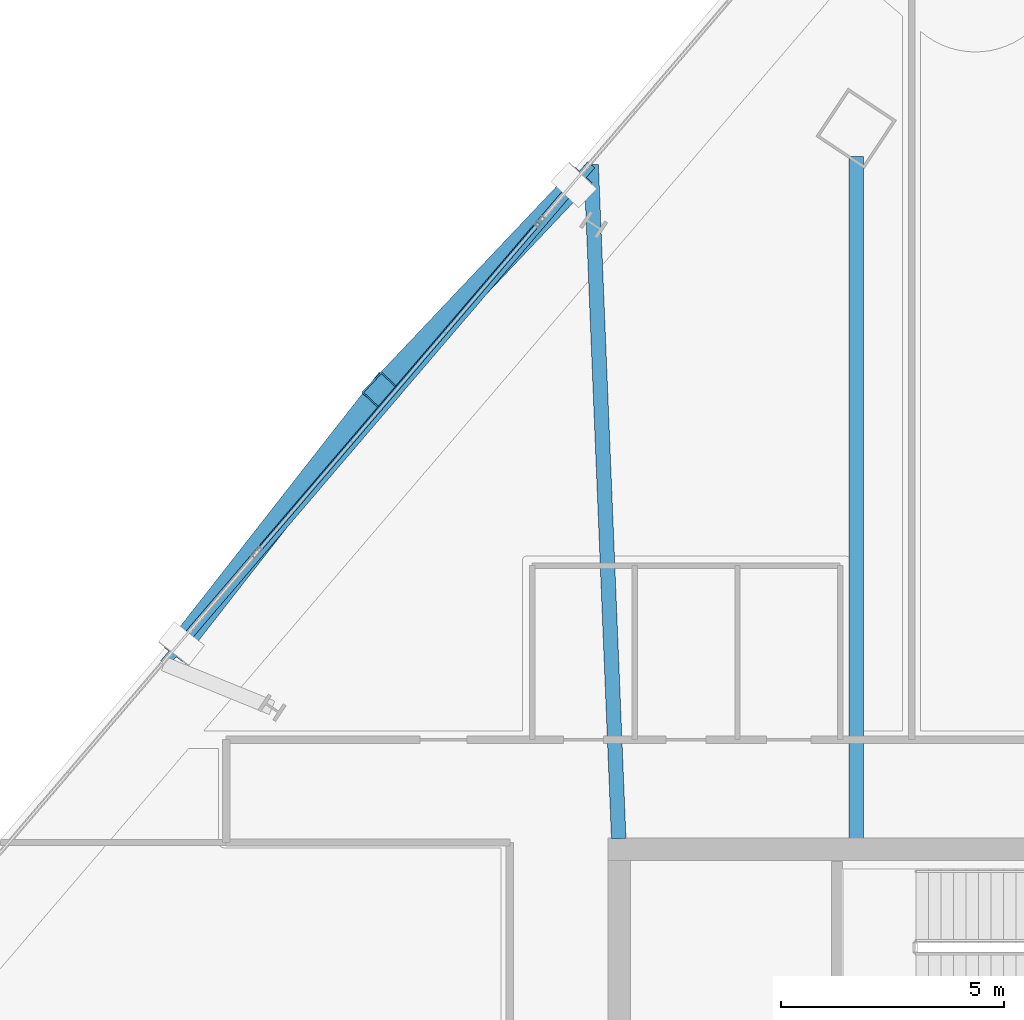
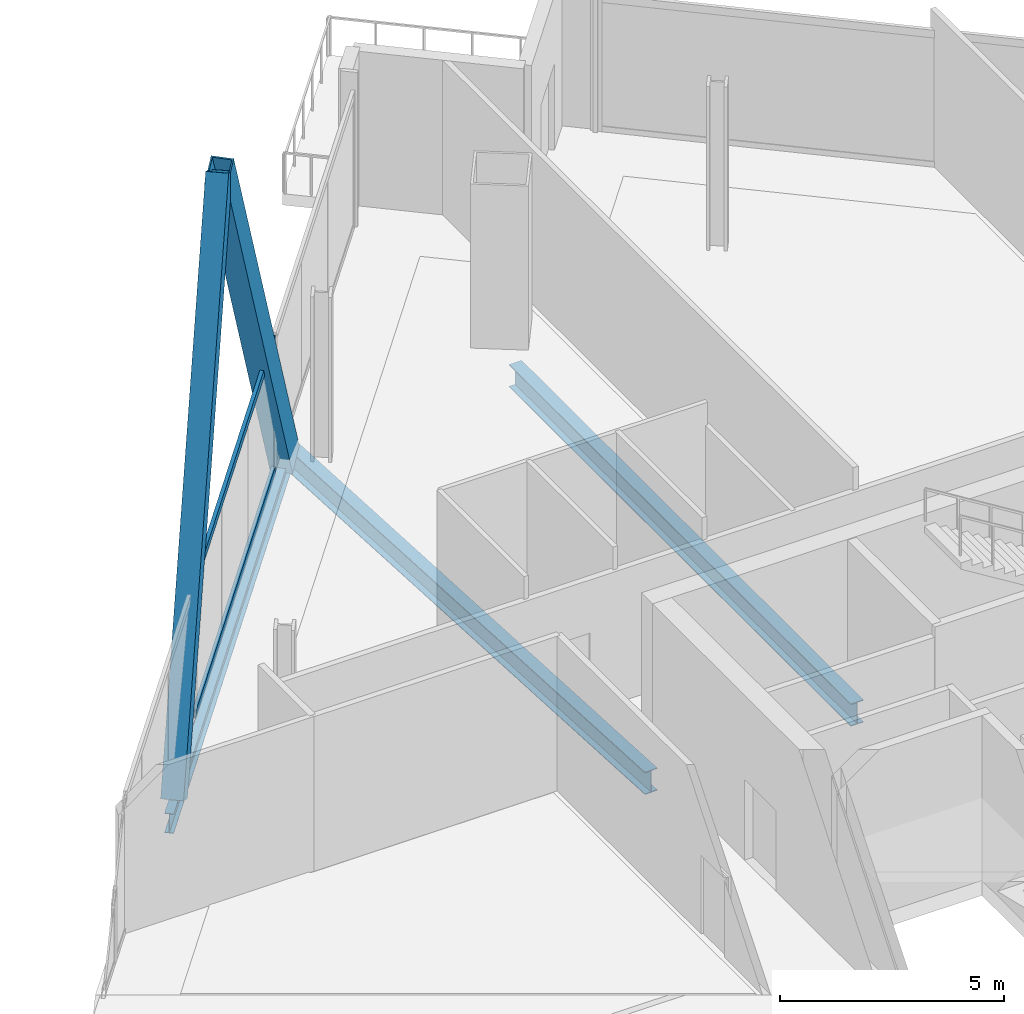
# One storey, part 12 of 26: 4 members, 3 beams, 1 element without a shape of its own.
"""IFC4 building model written with IfcOpenShell, lengths in metres."""

from ifc_helpers import new_model, si_unit, direction, frame, origin, origin_2d, place, context, subcontext, project, spatial, hollow_rectangle, i_section, extrude, material, material_profile, profile_set, type_object, element, aggregate, save


model = new_model("IFC4")

# Units and contexts
model_context = context("Model", 3, precision=1e-05, world=origin(), true_north=direction((0.0, 1.0)))
body_context = subcontext(model_context, "Body", "Model", "MODEL_VIEW")
ifc_project = project(units=[si_unit("LENGTHUNIT", "METRE"), si_unit("AREAUNIT", "SQUARE_METRE"), si_unit("VOLUMEUNIT", "CUBIC_METRE"), si_unit("PLANEANGLEUNIT", "RADIAN"), si_unit("MASSUNIT", "GRAM", prefix="KILO")], contexts=[model_context])

# Site, building, storey
site_placement = place(None, origin())
site = spatial("IfcSite", under=ifc_project, at=site_placement, CompositionType="ELEMENT")
building_placement = place(site_placement, origin())
building = spatial("IfcBuilding", under=site, at=building_placement, Name="Haldenkirk Collegiate Tower", CompositionType="ELEMENT")
storey_placement = place(building_placement, frame((0.0, 0.0, 193.949951171875)))
storey = spatial("IfcBuildingStorey", under=building, at=storey_placement, Name="L48", CompositionType="ELEMENT", Elevation=193.949951171875)

# Beams
ifc_material_1 = material(Name="Steel ASTM A992 Grade 50", Category="steel")
ifc_material_profile_1 = material_profile(ifc_material_1, i_section(OverallWidth=0.324951171875, OverallDepth=0.615966796875, WebThickness=0.013916015625, FlangeThickness=0.021484375, at=origin_2d()), Name="W24X117")
ifc_profile_set_1 = profile_set([ifc_material_profile_1], Name="Steel ASTM A992 Grade 50")
beam_type_1 = type_object("IfcBeamType", Name="BM-GIRDER-W24X117", PredefinedType="BEAM", material=ifc_profile_set_1)
beam_1_placement = place(storey_placement, frame((32.30810546875, 49.5107421875, -0.718017578125), z_axis=(0.0, -1.0, 0.0), x_axis=(1.0, 0.0, 0.0)))
element("IfcBeam", 1, at=beam_1_placement, inside=storey, type_object=beam_type_1, Name="L48 primary floor girder 03", PredefinedType="BEAM", context=body_context, shape_type="SweptSolid", body=[
    extrude(i_section(OverallWidth=0.324951171875, OverallDepth=0.615966796875, WebThickness=0.013916015625, FlangeThickness=0.021484375, at=origin_2d()), origin(), (0.0, 0.0, 1.0), 15.28076171875),
])
beam_2_placement = place(storey_placement, frame((26.372802734375, 49.326416015625, -0.718017578125), z_axis=(0.040880474663, -0.999164043984, 0.0), x_axis=(0.999164043984, 0.040880474663, 0.0)))
element("IfcBeam", 2, at=beam_2_placement, inside=storey, type_object=beam_type_1, Name="L48 primary floor girder 11", PredefinedType="BEAM", context=body_context, shape_type="SweptSolid", body=[
    extrude(i_section(OverallWidth=0.324951171875, OverallDepth=0.615966796875, WebThickness=0.013916015625, FlangeThickness=0.021484375, at=origin_2d()), origin(), (0.0, 0.0, 1.0), 15.109375),
])
ifc_material_profile_2 = material_profile(ifc_material_1, i_section(OverallWidth=0.2099609375, OverallDepth=0.537109375, WebThickness=0.010986328125, FlangeThickness=0.017333984375, at=origin_2d()), Name="W21X68")
ifc_profile_set_2 = profile_set([ifc_material_profile_2], Name="Steel ASTM A992 Grade 50")
beam_type_2 = type_object("IfcBeamType", Name="BM-SPANDREL-W21X68", PredefinedType="SPANDREL", material=ifc_profile_set_2)
beam_3_placement = place(storey_placement, frame((26.372802734375, 49.326416015625, -0.678466796875), z_axis=(-0.650113166339, -0.759837397706, 0.0), x_axis=(0.759837397706, -0.650113166339, 0.0)))
element("IfcBeam", 3, at=beam_3_placement, inside=storey, type_object=beam_type_2, Name="L48 outer facade edge beam 3", PredefinedType="SPANDREL", context=body_context, shape_type="SweptSolid", body=[
    extrude(i_section(OverallWidth=0.2099609375, OverallDepth=0.537109375, WebThickness=0.010986328125, FlangeThickness=0.017333984375, at=origin_2d()), origin(), (0.0, 0.0, 1.0), 14.709716796875),
])

# Curtain wall, members
ifc_material_2 = material(Name="Anodised architectural bronze aluminium", Category="aluminium")
curtain_wall_type = type_object("IfcCurtainWallType", Name="CW-SYS4-SKYGARDEN", PredefinedType="USERDEFINED", material=ifc_material_2)
curtain_wall_placement = place(storey_placement, origin())
curtain_wall = element("IfcCurtainWall", 4, at=curtain_wall_placement, inside=storey, type_object=curtain_wall_type, Name="L48 Sky-garden tall bronze curtain wall", ObjectType="UNITISED CURTAIN WALL", PredefinedType="USERDEFINED")
ifc_material_profile_3 = material_profile(ifc_material_2, hollow_rectangle(XDim=0.090087890625, YDim=0.2099609375, WallThickness=0.0048828125, at=origin_2d()), Name="CW-TRN-04")
ifc_profile_set_3 = profile_set([ifc_material_profile_3], Name="Anodised architectural bronze aluminium")
member_type_1 = type_object("IfcMemberType", Name="CW-TRN-04", PredefinedType="USERDEFINED", material=ifc_profile_set_3)
member_1_placement = place(storey_placement, frame((18.917724609375, 40.6748046875, 0.045166015625), z_axis=(0.650118834352, 0.759832548146, 0.0), x_axis=(-0.759832548146, 0.650118834352, 0.0)))
member_1 = element("IfcMember", 5, at=member_1_placement, type_object=member_type_1, Name="CW-04 transom 3.1", ObjectType="TRANSOM", PredefinedType="USERDEFINED", context=body_context, shape_type="SweptSolid", body=[
    extrude(hollow_rectangle(XDim=0.090087890625, YDim=0.2099609375, WallThickness=0.0048828125, at=origin_2d()), origin(), (0.0, 0.0, 1.0), 9.659912109375),
])
member_2_placement = place(storey_placement, frame((18.917724609375, 40.6748046875, 3.633056640625), z_axis=(0.650118834352, 0.759832548146, 0.0), x_axis=(-0.759832548146, 0.650118834352, 0.0)))
member_2 = element("IfcMember", 6, at=member_2_placement, type_object=member_type_1, Name="CW-04 transom 3.2", ObjectType="TRANSOM", PredefinedType="USERDEFINED", context=body_context, shape_type="SweptSolid", body=[
    extrude(hollow_rectangle(XDim=0.090087890625, YDim=0.2099609375, WallThickness=0.0048828125, at=origin_2d()), origin(), (0.0, 0.0, 1.0), 9.659912109375),
])
aggregate(curtain_wall, [member_1, member_2])

# Members
ifc_material_3 = material(Name="Steel ASTM A572 Grade 50", Category="steel")
ifc_material_profile_4 = material_profile(ifc_material_3, hollow_rectangle(XDim=0.52001953125, YDim=0.719970703125, WallThickness=0.035888671875, at=origin_2d()), Name="BOX720X520X36")
ifc_profile_set_4 = profile_set([ifc_material_profile_4], Name="Steel ASTM A572 Grade 50")
member_type_2 = type_object("IfcMemberType", Name="MBR-MEGABRACE-BOX720X520X36", PredefinedType="BRACE", material=ifc_profile_set_4)
member_3_placement = place(storey_placement, frame((25.982666015625, 48.87060546875, -0.419921875), z_axis=(-0.317408661745, -0.335492743542, 0.886959052313), x_axis=(0.726413653158, -0.687257742412, 0.0)))
element("IfcMember", 7, at=member_3_placement, inside=storey, type_object=member_type_2, Name="Perimeter Mega Brace Z4 L48-L50 NL", PredefinedType="BRACE", context=body_context, shape_type="SweptSolid", body=[
    extrude(hollow_rectangle(XDim=0.52001953125, YDim=0.719970703125, WallThickness=0.035888671875, at=origin_2d()), origin(), (0.0, 0.0, 1.0), 13.67578125),
])
member_4_placement = place(storey_placement, frame((17.199951171875, 38.60546875, -0.419921875), z_axis=(0.314804133899, 0.402338162336, 0.859664097429), x_axis=(-0.787570750482, 0.616224239206, 0.0)))
element("IfcMember", 8, at=member_4_placement, inside=storey, type_object=member_type_2, Name="Perimeter Mega Brace Z4 L48-L50 NR", PredefinedType="BRACE", context=body_context, shape_type="SweptSolid", body=[
    extrude(hollow_rectangle(XDim=0.52001953125, YDim=0.719970703125, WallThickness=0.035888671875, at=origin_2d()), origin(), (0.0, 0.0, 1.0), 14.110107421875),
])

save(model, "model.ifc")
